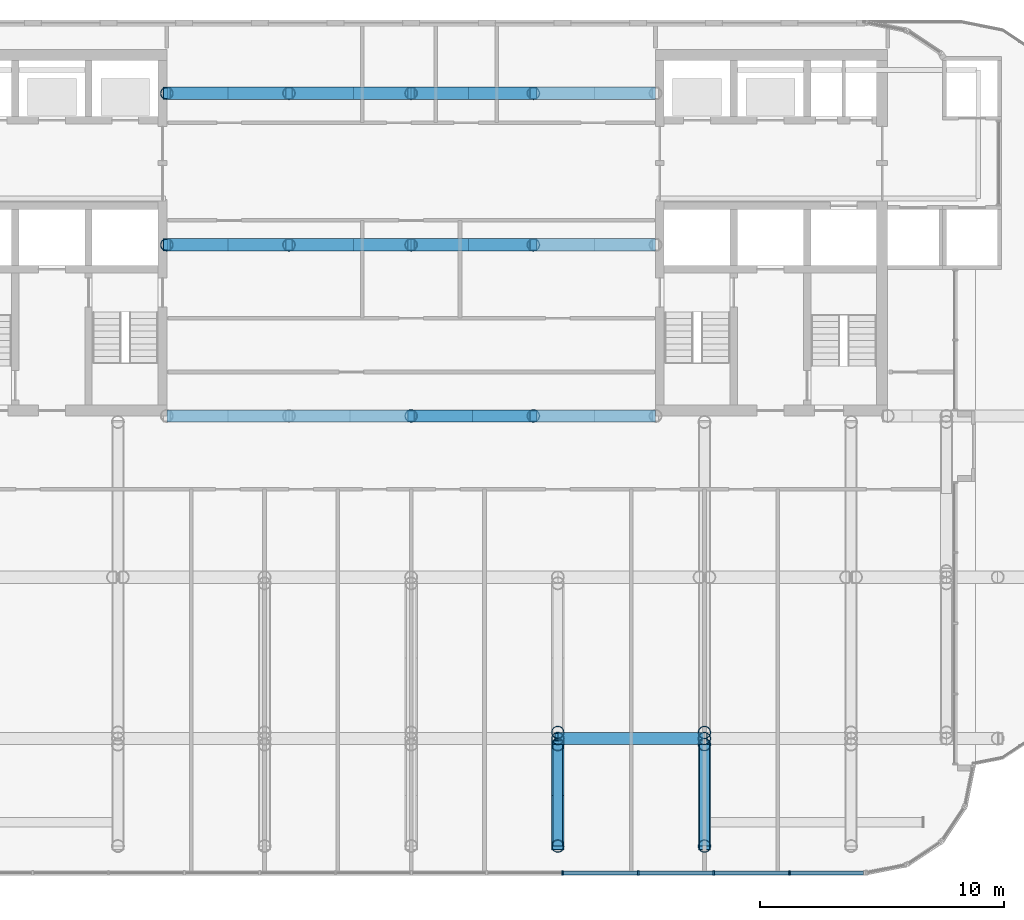
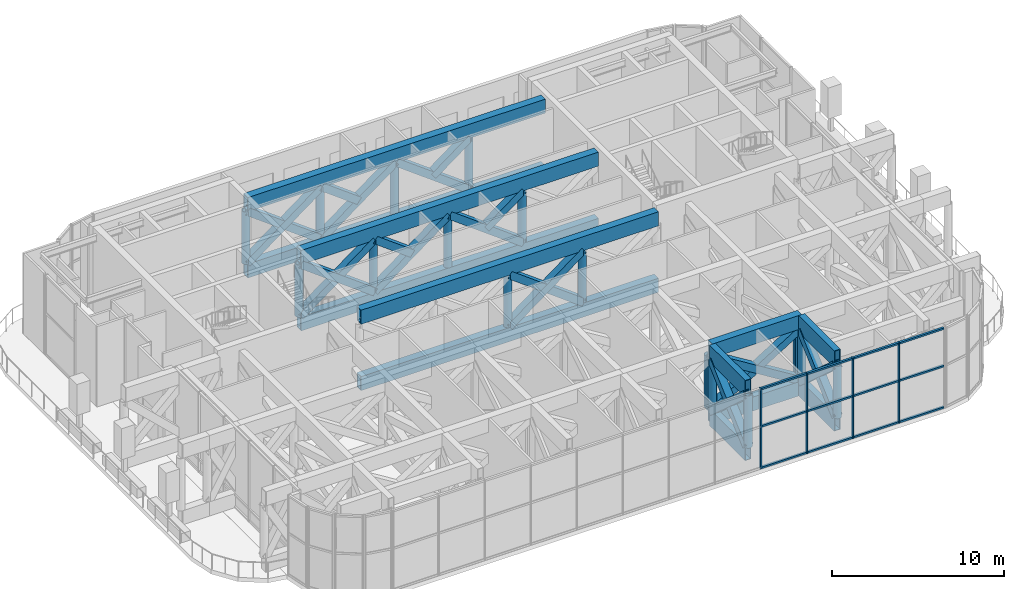
# One storey, part 4 of 21: 54 members, 12 beams, 1 element without a shape of its own.
"""IFC4 building model written with IfcOpenShell, lengths in metres."""

from ifc_helpers import new_model, si_unit, direction, frame, origin, origin_2d, place, context, subcontext, project, spatial, rectangle, hollow_rectangle, hollow_circle, extrude, material, layer, layer_set, material_profile, profile_set, type_object, element, aggregate, save


model = new_model("IFC4")

# Units and contexts
model_context = context("Model", 3, precision=1e-05, world=origin(), true_north=direction((0.0, 1.0)))
body_context = subcontext(model_context, "Body", "Model", "MODEL_VIEW")
ifc_project = project(units=[si_unit("LENGTHUNIT", "METRE"), si_unit("AREAUNIT", "SQUARE_METRE"), si_unit("VOLUMEUNIT", "CUBIC_METRE"), si_unit("PLANEANGLEUNIT", "RADIAN"), si_unit("MASSUNIT", "GRAM", prefix="KILO")], contexts=[model_context])

# Site, building, storey
site_placement = place(None, origin())
site = spatial("IfcSite", under=ifc_project, at=site_placement, CompositionType="ELEMENT")
building_placement = place(site_placement, origin())
building = spatial("IfcBuilding", under=site, at=building_placement, Name="Torana Hotel and Residences", CompositionType="ELEMENT")
storey_placement = place(building_placement, frame((0.0, 0.0, 246.60009765625)))
storey = spatial("IfcBuildingStorey", under=building, at=storey_placement, Name="L65", CompositionType="ELEMENT", Elevation=246.60009765625)

# Curtain wall, members
ifc_material_1 = material(Name="Dark anodised aluminium", Category="aluminium")
ifc_layer = layer(ifc_material_1, 0.199951171875)
ifc_layer_set = layer_set([ifc_layer], Name="CW2 SKY LOBBY UNITISED CURTAIN WALL")
curtain_wall_type = type_object("IfcCurtainWallType", Name="CW2 SKY LOBBY UNITISED CURTAIN WALL", PredefinedType="NOTDEFINED", material=ifc_layer_set)
curtain_wall_placement = place(storey_placement, origin())
curtain_wall = element("IfcCurtainWall", 1, at=curtain_wall_placement, inside=storey, type_object=curtain_wall_type, Name="Curtain wall CW2 L65 e0.9-1", PredefinedType="NOTDEFINED")
ifc_material_2 = material(Name="Dark anodised aluminium", Category="aluminium")
ifc_material_profile_1 = material_profile(ifc_material_2, rectangle(XDim=0.199951171875, YDim=0.070068359375, at=origin_2d()), Name="CW2 MULLION 70x200")
ifc_profile_set_1 = profile_set([ifc_material_profile_1], Name="Dark anodised aluminium")
member_type_1 = type_object("IfcMemberType", Name="CW2 MULLION 70x200", PredefinedType="MULLION", material=ifc_profile_set_1)
member_1_placement = place(storey_placement, frame((6.19189453125, -33.699951171875, 0.0), z_axis=(0.0, 0.0, 1.0), x_axis=(0.0, 1.0, 0.0)))
member_1 = element("IfcMember", 2, at=member_1_placement, type_object=member_type_1, Name="CW2 mullion 9", PredefinedType="MULLION", context=body_context, shape_type="SweptSolid", body=[
    extrude(rectangle(XDim=0.199951171875, YDim=0.070068359375, at=origin_2d()), origin(), (0.0, 0.0, 1.0), 5.719970703125),
])
member_2_placement = place(storey_placement, frame((9.28759765625, -33.699951171875, 0.0), z_axis=(0.0, 0.0, 1.0), x_axis=(0.0, 1.0, 0.0)))
member_2 = element("IfcMember", 3, at=member_2_placement, type_object=member_type_1, Name="CW2 mullion 10", PredefinedType="MULLION", context=body_context, shape_type="SweptSolid", body=[
    extrude(rectangle(XDim=0.199951171875, YDim=0.070068359375, at=origin_2d()), origin(), (0.0, 0.0, 1.0), 5.719970703125),
])
member_3_placement = place(storey_placement, frame((12.383544921875, -33.699951171875, 0.0), z_axis=(0.0, 0.0, 1.0), x_axis=(0.0, 1.0, 0.0)))
member_3 = element("IfcMember", 4, at=member_3_placement, type_object=member_type_1, Name="CW2 mullion 11", PredefinedType="MULLION", context=body_context, shape_type="SweptSolid", body=[
    extrude(rectangle(XDim=0.199951171875, YDim=0.070068359375, at=origin_2d()), origin(), (0.0, 0.0, 1.0), 5.719970703125),
])
member_4_placement = place(storey_placement, frame((15.4794921875, -33.699951171875, 0.0), z_axis=(0.0, 0.0, 1.0), x_axis=(0.0, 1.0, 0.0)))
member_4 = element("IfcMember", 5, at=member_4_placement, type_object=member_type_1, Name="CW2 mullion 12", PredefinedType="MULLION", context=body_context, shape_type="SweptSolid", body=[
    extrude(rectangle(XDim=0.199951171875, YDim=0.070068359375, at=origin_2d()), origin(), (0.0, 0.0, 1.0), 5.719970703125),
])
ifc_material_3 = material(Name="Dark anodised aluminium", Category="aluminium")
ifc_material_profile_2 = material_profile(ifc_material_3, rectangle(XDim=0.14990234375, YDim=0.1201171875, at=origin_2d()), Name="CW2 TRANSOM 150x120")
ifc_profile_set_2 = profile_set([ifc_material_profile_2], Name="Dark anodised aluminium")
member_type_2 = type_object("IfcMemberType", Name="CW2 TRANSOM 150x120", PredefinedType="USERDEFINED", material=ifc_profile_set_2)
member_5_placement = place(storey_placement, frame((6.226806640625, -33.699951171875, 0.059814453125), z_axis=(1.0, 0.0, 0.0), x_axis=(0.0, 1.0, 0.0)))
member_5 = element("IfcMember", 6, at=member_5_placement, type_object=member_type_2, Name="CW2 transom 9.1", ObjectType="TRANSOM", PredefinedType="USERDEFINED", context=body_context, shape_type="SweptSolid", body=[
    extrude(rectangle(XDim=0.14990234375, YDim=0.1201171875, at=origin_2d()), origin(), (0.0, 0.0, 1.0), 3.02587890625),
])
member_6_placement = place(storey_placement, frame((6.226806640625, -33.699951171875, 3.0), z_axis=(1.0, 0.0, 0.0), x_axis=(0.0, 1.0, 0.0)))
member_6 = element("IfcMember", 7, at=member_6_placement, type_object=member_type_2, Name="CW2 transom 9.2", ObjectType="TRANSOM", PredefinedType="USERDEFINED", context=body_context, shape_type="SweptSolid", body=[
    extrude(rectangle(XDim=0.14990234375, YDim=0.1201171875, at=origin_2d()), origin(), (0.0, 0.0, 1.0), 3.02587890625),
])
member_7_placement = place(storey_placement, frame((6.226806640625, -33.699951171875, 5.659912109375), z_axis=(1.0, 0.0, 0.0), x_axis=(0.0, 1.0, 0.0)))
member_7 = element("IfcMember", 8, at=member_7_placement, type_object=member_type_2, Name="CW2 transom 9.3", ObjectType="TRANSOM", PredefinedType="USERDEFINED", context=body_context, shape_type="SweptSolid", body=[
    extrude(rectangle(XDim=0.14990234375, YDim=0.1201171875, at=origin_2d()), origin(), (0.0, 0.0, 1.0), 3.02587890625),
])
member_8_placement = place(storey_placement, frame((9.32275390625, -33.699951171875, 0.059814453125), z_axis=(1.0, 0.0, 0.0), x_axis=(0.0, 1.0, 0.0)))
member_8 = element("IfcMember", 9, at=member_8_placement, type_object=member_type_2, Name="CW2 transom 10.1", ObjectType="TRANSOM", PredefinedType="USERDEFINED", context=body_context, shape_type="SweptSolid", body=[
    extrude(rectangle(XDim=0.14990234375, YDim=0.1201171875, at=origin_2d()), origin(), (0.0, 0.0, 1.0), 3.02587890625),
])
member_9_placement = place(storey_placement, frame((9.32275390625, -33.699951171875, 3.0), z_axis=(1.0, 0.0, 0.0), x_axis=(0.0, 1.0, 0.0)))
member_9 = element("IfcMember", 10, at=member_9_placement, type_object=member_type_2, Name="CW2 transom 10.2", ObjectType="TRANSOM", PredefinedType="USERDEFINED", context=body_context, shape_type="SweptSolid", body=[
    extrude(rectangle(XDim=0.14990234375, YDim=0.1201171875, at=origin_2d()), origin(), (0.0, 0.0, 1.0), 3.02587890625),
])
member_10_placement = place(storey_placement, frame((9.32275390625, -33.699951171875, 5.659912109375), z_axis=(1.0, 0.0, 0.0), x_axis=(0.0, 1.0, 0.0)))
member_10 = element("IfcMember", 11, at=member_10_placement, type_object=member_type_2, Name="CW2 transom 10.3", ObjectType="TRANSOM", PredefinedType="USERDEFINED", context=body_context, shape_type="SweptSolid", body=[
    extrude(rectangle(XDim=0.14990234375, YDim=0.1201171875, at=origin_2d()), origin(), (0.0, 0.0, 1.0), 3.02587890625),
])
member_11_placement = place(storey_placement, frame((12.418701171875, -33.699951171875, 0.059814453125), z_axis=(1.0, 0.0, 0.0), x_axis=(0.0, 1.0, 0.0)))
member_11 = element("IfcMember", 12, at=member_11_placement, type_object=member_type_2, Name="CW2 transom 11.1", ObjectType="TRANSOM", PredefinedType="USERDEFINED", context=body_context, shape_type="SweptSolid", body=[
    extrude(rectangle(XDim=0.14990234375, YDim=0.1201171875, at=origin_2d()), origin(), (0.0, 0.0, 1.0), 3.02587890625),
])
member_12_placement = place(storey_placement, frame((12.418701171875, -33.699951171875, 3.0), z_axis=(1.0, 0.0, 0.0), x_axis=(0.0, 1.0, 0.0)))
member_12 = element("IfcMember", 13, at=member_12_placement, type_object=member_type_2, Name="CW2 transom 11.2", ObjectType="TRANSOM", PredefinedType="USERDEFINED", context=body_context, shape_type="SweptSolid", body=[
    extrude(rectangle(XDim=0.14990234375, YDim=0.1201171875, at=origin_2d()), origin(), (0.0, 0.0, 1.0), 3.02587890625),
])
member_13_placement = place(storey_placement, frame((12.418701171875, -33.699951171875, 5.659912109375), z_axis=(1.0, 0.0, 0.0), x_axis=(0.0, 1.0, 0.0)))
member_13 = element("IfcMember", 14, at=member_13_placement, type_object=member_type_2, Name="CW2 transom 11.3", ObjectType="TRANSOM", PredefinedType="USERDEFINED", context=body_context, shape_type="SweptSolid", body=[
    extrude(rectangle(XDim=0.14990234375, YDim=0.1201171875, at=origin_2d()), origin(), (0.0, 0.0, 1.0), 3.02587890625),
])
member_14_placement = place(storey_placement, frame((15.514404296875, -33.699951171875, 0.059814453125), z_axis=(1.0, 0.0, 0.0), x_axis=(0.0, 1.0, 0.0)))
member_14 = element("IfcMember", 15, at=member_14_placement, type_object=member_type_2, Name="CW2 transom 12.1", ObjectType="TRANSOM", PredefinedType="USERDEFINED", context=body_context, shape_type="SweptSolid", body=[
    extrude(rectangle(XDim=0.14990234375, YDim=0.1201171875, at=origin_2d()), origin(), (0.0, 0.0, 1.0), 2.990966796875),
])
member_15_placement = place(storey_placement, frame((15.514404296875, -33.699951171875, 3.0), z_axis=(1.0, 0.0, 0.0), x_axis=(0.0, 1.0, 0.0)))
member_15 = element("IfcMember", 16, at=member_15_placement, type_object=member_type_2, Name="CW2 transom 12.2", ObjectType="TRANSOM", PredefinedType="USERDEFINED", context=body_context, shape_type="SweptSolid", body=[
    extrude(rectangle(XDim=0.14990234375, YDim=0.1201171875, at=origin_2d()), origin(), (0.0, 0.0, 1.0), 2.990966796875),
])
member_16_placement = place(storey_placement, frame((15.514404296875, -33.699951171875, 5.659912109375), z_axis=(1.0, 0.0, 0.0), x_axis=(0.0, 1.0, 0.0)))
member_16 = element("IfcMember", 17, at=member_16_placement, type_object=member_type_2, Name="CW2 transom 12.3", ObjectType="TRANSOM", PredefinedType="USERDEFINED", context=body_context, shape_type="SweptSolid", body=[
    extrude(rectangle(XDim=0.14990234375, YDim=0.1201171875, at=origin_2d()), origin(), (0.0, 0.0, 1.0), 2.990966796875),
])
aggregate(curtain_wall, [member_1, member_2, member_3, member_4, member_5, member_6, member_7, member_8, member_9, member_10, member_11, member_12, member_13, member_14, member_15, member_16])

# Beams
ifc_material_4 = material(Name="Steel S355", Category="steel")
ifc_material_profile_3 = material_profile(ifc_material_4, hollow_rectangle(XDim=0.5, YDim=1.0, WallThickness=0.050048828125, at=origin_2d()), Name="BOX 1000x500x50")
ifc_profile_set_3 = profile_set([ifc_material_profile_3], Name="Steel S355")
beam_type_1 = type_object("IfcBeamType", Name="STEEL CHORD BOX 1000x500x50", PredefinedType="BEAM", material=ifc_profile_set_3)
for number, where, z_axis, x_axis, name in (
    (18, (6.0, -28.199951171875, 0.5), (1.0, 0.0, 0.0), (0.0, 1.0, 0.0), "Transfer chord L65"),
    (19, (6.0, -28.199951171875, 5.219970703125), (1.0, 0.0, 0.0), (0.0, 1.0, 0.0), "Transfer chord L65"),
):
    element("IfcBeam", number, at=place(storey_placement, frame(where, z_axis=z_axis, x_axis=x_axis)), inside=storey, type_object=beam_type_1, Name=name, PredefinedType="BEAM", context=body_context, shape_type="SweptSolid", body=[
        extrude(hollow_rectangle(XDim=0.5, YDim=1.0, WallThickness=0.050048828125, at=origin_2d()), origin(), (0.0, 0.0, 1.0), 6.0),
    ])
for number, where, z_axis, x_axis, name in (
    (20, (-10.0, -15.0, 0.5), (1.0, 0.0, 0.0), (0.0, 1.0, 0.0), "Transfer chord L65"),
    (21, (-10.0, -15.0, 5.219970703125), (1.0, 0.0, 0.0), (0.0, 1.0, 0.0), "Transfer chord L65"),
    (22, (-10.0, -8.0, 0.5), (1.0, 0.0, 0.0), (0.0, 1.0, 0.0), "Transfer chord L65"),
    (23, (-10.0, -8.0, 5.219970703125), (1.0, 0.0, 0.0), (0.0, 1.0, 0.0), "Transfer chord L65"),
    (24, (-10.0, -1.800048828125, 0.5), (1.0, 0.0, 0.0), (0.0, 1.0, 0.0), "Transfer chord L65"),
    (25, (-10.0, -1.800048828125, 5.219970703125), (1.0, 0.0, 0.0), (0.0, 1.0, 0.0), "Transfer chord L65"),
):
    element("IfcBeam", number, at=place(storey_placement, frame(where, z_axis=z_axis, x_axis=x_axis)), inside=storey, type_object=beam_type_1, Name=name, PredefinedType="BEAM", context=body_context, shape_type="SweptSolid", body=[
        extrude(hollow_rectangle(XDim=0.5, YDim=1.0, WallThickness=0.050048828125, at=origin_2d()), origin(), (0.0, 0.0, 1.0), 20.0),
    ])
ifc_material_5 = material(Name="Steel S355", Category="steel")
ifc_material_profile_4 = material_profile(ifc_material_5, hollow_rectangle(XDim=0.39990234375, YDim=1.199951171875, WallThickness=0.0400390625, at=origin_2d()), Name="BOX 1200x400x40")
ifc_profile_set_4 = profile_set([ifc_material_profile_4], Name="Steel S355")
beam_type_2 = type_object("IfcBeamType", Name="STEEL CHORD BOX 1200x400x40", PredefinedType="BEAM", material=ifc_profile_set_4)
for number, where, z_axis, x_axis, name in (
    (26, (6.0, -32.60009765625, 0.599853515625), (0.0, 1.0, 0.0), (-1.0, 0.0, 0.0), "Transfer chord L65"),
    (27, (6.0, -32.60009765625, 5.119873046875), (0.0, 1.0, 0.0), (-1.0, 0.0, 0.0), "Transfer chord L65"),
    (28, (12.0, -32.60009765625, 0.599853515625), (0.0, 1.0, 0.0), (-1.0, 0.0, 0.0), "Transfer chord L65"),
    (29, (12.0, -32.60009765625, 5.119873046875), (0.0, 1.0, 0.0), (-1.0, 0.0, 0.0), "Transfer chord L65"),
):
    element("IfcBeam", number, at=place(storey_placement, frame(where, z_axis=z_axis, x_axis=x_axis)), inside=storey, type_object=beam_type_2, Name=name, PredefinedType="BEAM", context=body_context, shape_type="SweptSolid", body=[
        extrude(hollow_rectangle(XDim=0.39990234375, YDim=1.199951171875, WallThickness=0.0400390625, at=origin_2d()), origin(), (0.0, 0.0, 1.0), 4.150146484375),
    ])

# Members
ifc_material_6 = material(Name="Steel S355", Category="steel")
ifc_material_profile_5 = material_profile(ifc_material_6, hollow_rectangle(XDim=0.5, YDim=0.5, WallThickness=0.0400390625, at=origin_2d()), Name="BOX 500x500x40")
ifc_profile_set_5 = profile_set([ifc_material_profile_5], Name="Steel S355")
member_type_3 = type_object("IfcMemberType", Name="STEEL DIAGONAL BOX 500x500x40", PredefinedType="BRACE", material=ifc_profile_set_5)
for number, where, z_axis, x_axis, name in (
    (30, (0.0, -15.0, 1.0), (0.802306956603, 0.0, 0.596911674695), (0.0, 1.0, 0.0), "Truss diagonal L65"),
    (31, (5.0, -15.0, 1.0), (-0.802306956603, 0.0, 0.596911674695), (0.0, -1.0, 0.0), "Truss diagonal L65"),
    (32, (-10.0, -8.0, 1.0), (0.802306956603, 0.0, 0.596911674695), (0.0, 1.0, 0.0), "Truss diagonal L65"),
    (33, (-5.0, -8.0, 1.0), (-0.802306956603, 0.0, 0.596911674695), (0.0, -1.0, 0.0), "Truss diagonal L65"),
    (34, (-5.0, -8.0, 1.0), (0.802306956603, 0.0, 0.596911674695), (0.0, 1.0, 0.0), "Truss diagonal L65"),
):
    element("IfcMember", number, at=place(storey_placement, frame(where, z_axis=z_axis, x_axis=x_axis)), inside=storey, type_object=member_type_3, Name=name, PredefinedType="BRACE", context=body_context, shape_type="SweptSolid", body=[
        extrude(hollow_rectangle(XDim=0.5, YDim=0.5, WallThickness=0.0400390625, at=origin_2d()), origin(), (0.0, 0.0, 1.0), 6.23193359375),
    ])
for number, where, z_axis, x_axis, name in (
    (35, (-2.5, -8.0, 2.85986328125), (-0.802288195418, 0.0, 0.596936890712), (0.0, -1.0, 0.0), "Truss diagonal L65"),
    (36, (2.5, -8.0, 2.85986328125), (0.802288195418, 0.0, 0.596936890712), (0.0, 1.0, 0.0), "Truss diagonal L65"),
):
    element("IfcMember", number, at=place(storey_placement, frame(where, z_axis=z_axis, x_axis=x_axis)), inside=storey, type_object=member_type_3, Name=name, PredefinedType="BRACE", context=body_context, shape_type="SweptSolid", body=[
        extrude(hollow_rectangle(XDim=0.5, YDim=0.5, WallThickness=0.0400390625, at=origin_2d()), origin(), (0.0, 0.0, 1.0), 3.115966796875),
    ])
for number, where, z_axis, x_axis, name in (
    (37, (5.0, -8.0, 1.0), (-0.802306956603, 0.0, 0.596911674695), (0.0, -1.0, 0.0), "Truss diagonal L65"),
    (38, (-10.0, -1.800048828125, 1.0), (0.802306956603, 0.0, 0.596911674695), (0.0, 1.0, 0.0), "Truss diagonal L65"),
    (39, (-5.0, -1.800048828125, 1.0), (-0.802306956603, 0.0, 0.596911674695), (0.0, -1.0, 0.0), "Truss diagonal L65"),
    (40, (-5.0, -1.800048828125, 1.0), (0.802306956603, 0.0, 0.596911674695), (0.0, 1.0, 0.0), "Truss diagonal L65"),
):
    element("IfcMember", number, at=place(storey_placement, frame(where, z_axis=z_axis, x_axis=x_axis)), inside=storey, type_object=member_type_3, Name=name, PredefinedType="BRACE", context=body_context, shape_type="SweptSolid", body=[
        extrude(hollow_rectangle(XDim=0.5, YDim=0.5, WallThickness=0.0400390625, at=origin_2d()), origin(), (0.0, 0.0, 1.0), 6.23193359375),
    ])
for number, where, z_axis, x_axis, name in (
    (41, (-2.5, -1.800048828125, 2.85986328125), (-0.802288195418, 0.0, 0.596936890712), (0.0, -1.0, 0.0), "Truss diagonal L65"),
    (42, (2.5, -1.800048828125, 2.85986328125), (0.802288195418, 0.0, 0.596936890712), (0.0, 1.0, 0.0), "Truss diagonal L65"),
):
    element("IfcMember", number, at=place(storey_placement, frame(where, z_axis=z_axis, x_axis=x_axis)), inside=storey, type_object=member_type_3, Name=name, PredefinedType="BRACE", context=body_context, shape_type="SweptSolid", body=[
        extrude(hollow_rectangle(XDim=0.5, YDim=0.5, WallThickness=0.0400390625, at=origin_2d()), origin(), (0.0, 0.0, 1.0), 3.115966796875),
    ])
member_17_placement = place(storey_placement, frame((5.0, -1.800048828125, 1.0), z_axis=(-0.802306956603, 0.0, 0.596911674695), x_axis=(0.0, -1.0, 0.0)))
element("IfcMember", 43, at=member_17_placement, inside=storey, type_object=member_type_3, Name="Truss diagonal L65", PredefinedType="BRACE", context=body_context, shape_type="SweptSolid", body=[
    extrude(hollow_rectangle(XDim=0.5, YDim=0.5, WallThickness=0.0400390625, at=origin_2d()), origin(), (0.0, 0.0, 1.0), 6.23193359375),
])
for number, where, z_axis, x_axis, name in (
    (44, (6.0, -28.199951171875, 1.0), (0.84990455024, 0.0, 0.526936671224), (0.0, 1.0, 0.0), "Truss diagonal L65"),
    (45, (12.0, -28.199951171875, 1.0), (-0.84990455024, 0.0, 0.526936671224), (0.0, -1.0, 0.0), "Truss diagonal L65"),
):
    element("IfcMember", number, at=place(storey_placement, frame(where, z_axis=z_axis, x_axis=x_axis)), inside=storey, type_object=member_type_3, Name=name, PredefinedType="BRACE", context=body_context, shape_type="SweptSolid", body=[
        extrude(hollow_rectangle(XDim=0.5, YDim=0.5, WallThickness=0.0400390625, at=origin_2d()), origin(), (0.0, 0.0, 1.0), 7.0595703125),
    ])
for number, where, z_axis, x_axis, name in (
    (46, (6.0, -32.60009765625, 1.0), (0.0, 0.74464526482, 0.66746043297), (-1.0, 0.0, 0.0), "Truss diagonal L65"),
    (47, (6.0, -28.449951171875, 1.0), (0.0, -0.74464526482, 0.66746043297), (1.0, 0.0, 0.0), "Truss diagonal L65"),
    (48, (12.0, -32.60009765625, 1.0), (0.0, 0.74464526482, 0.66746043297), (-1.0, 0.0, 0.0), "Truss diagonal L65"),
    (49, (12.0, -28.449951171875, 1.0), (0.0, -0.74464526482, 0.66746043297), (1.0, 0.0, 0.0), "Truss diagonal L65"),
):
    element("IfcMember", number, at=place(storey_placement, frame(where, z_axis=z_axis, x_axis=x_axis)), inside=storey, type_object=member_type_3, Name=name, PredefinedType="BRACE", context=body_context, shape_type="SweptSolid", body=[
        extrude(hollow_rectangle(XDim=0.5, YDim=0.5, WallThickness=0.0400390625, at=origin_2d()), origin(), (0.0, 0.0, 1.0), 5.5732421875),
    ])
ifc_material_7 = material(Name="Steel S355", Category="steel")
ifc_material_profile_6 = material_profile(ifc_material_7, hollow_circle(Radius=0.25390625, WallThickness=0.01611328125, at=origin_2d()), Name="508x16 CHS")
ifc_profile_set_6 = profile_set([ifc_material_profile_6], Name="Steel S355")
member_type_4 = type_object("IfcMemberType", Name="STEEL POST 508x16 CHS", PredefinedType="POST", material=ifc_profile_set_6)
for number, where, z_axis, x_axis, name in (
    (50, (6.0, -28.199951171875, 1.0), (0.0, 0.0, 1.0), (1.0, 0.0, 0.0), "Truss post L65"),
    (51, (12.0, -28.199951171875, 1.0), (0.0, 0.0, 1.0), (1.0, 0.0, 0.0), "Truss post L65"),
    (52, (6.0, -32.60009765625, 1.0), (0.0, 0.0, 1.0), (1.0, 0.0, 0.0), "Truss post L65"),
    (53, (6.0, -28.449951171875, 1.0), (0.0, 0.0, 1.0), (1.0, 0.0, 0.0), "Truss post L65"),
    (54, (6.0, -27.949951171875, 1.0), (0.0, 0.0, 1.0), (1.0, 0.0, 0.0), "Truss post L65"),
    (55, (12.0, -32.60009765625, 1.0), (0.0, 0.0, 1.0), (1.0, 0.0, 0.0), "Truss post L65"),
    (56, (12.0, -28.449951171875, 1.0), (0.0, 0.0, 1.0), (1.0, 0.0, 0.0), "Truss post L65"),
    (57, (12.0, -27.949951171875, 1.0), (0.0, 0.0, 1.0), (1.0, 0.0, 0.0), "Truss post L65"),
    (58, (-10.0, -8.0, 1.0), (0.0, 0.0, 1.0), (1.0, 0.0, 0.0), "Truss post L65"),
    (59, (-10.0, -1.800048828125, 1.0), (0.0, 0.0, 1.0), (1.0, 0.0, 0.0), "Truss post L65"),
    (60, (0.0, -15.0, 1.0), (0.0, 0.0, 1.0), (1.0, 0.0, 0.0), "Truss post L65"),
    (61, (5.0, -15.0, 1.0), (0.0, 0.0, 1.0), (1.0, 0.0, 0.0), "Truss post L65"),
    (62, (-5.0, -8.0, 1.0), (0.0, 0.0, 1.0), (1.0, 0.0, 0.0), "Truss post L65"),
    (63, (0.0, -8.0, 1.0), (0.0, 0.0, 1.0), (1.0, 0.0, 0.0), "Truss post L65"),
    (64, (5.0, -8.0, 1.0), (0.0, 0.0, 1.0), (1.0, 0.0, 0.0), "Truss post L65"),
    (65, (-5.0, -1.800048828125, 1.0), (0.0, 0.0, 1.0), (1.0, 0.0, 0.0), "Truss post L65"),
    (66, (0.0, -1.800048828125, 1.0), (0.0, 0.0, 1.0), (1.0, 0.0, 0.0), "Truss post L65"),
    (67, (5.0, -1.800048828125, 1.0), (0.0, 0.0, 1.0), (1.0, 0.0, 0.0), "Truss post L65"),
):
    element("IfcMember", number, at=place(storey_placement, frame(where, z_axis=z_axis, x_axis=x_axis)), inside=storey, type_object=member_type_4, Name=name, PredefinedType="POST", context=body_context, shape_type="SweptSolid", body=[
        extrude(hollow_circle(Radius=0.25390625, WallThickness=0.01611328125, at=origin_2d()), origin(), (0.0, 0.0, 1.0), 3.719970703125),
    ])

save(model, "model.ifc")
